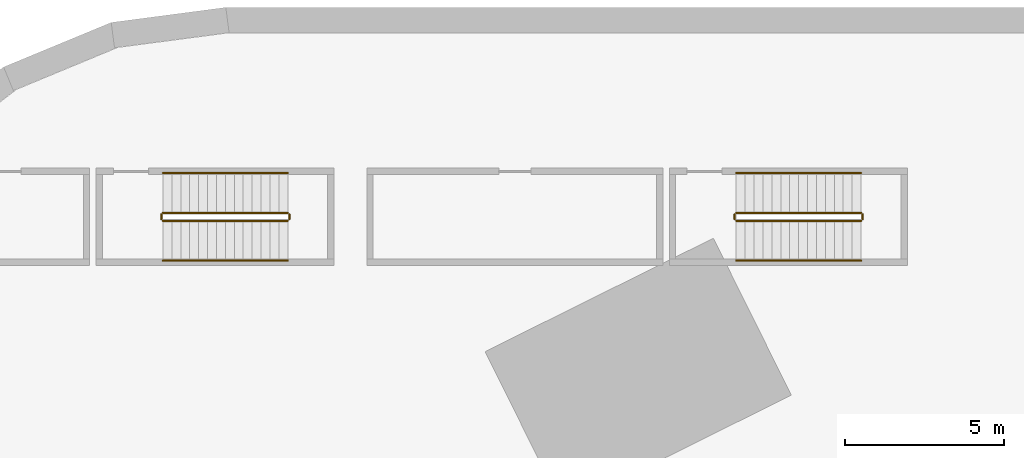
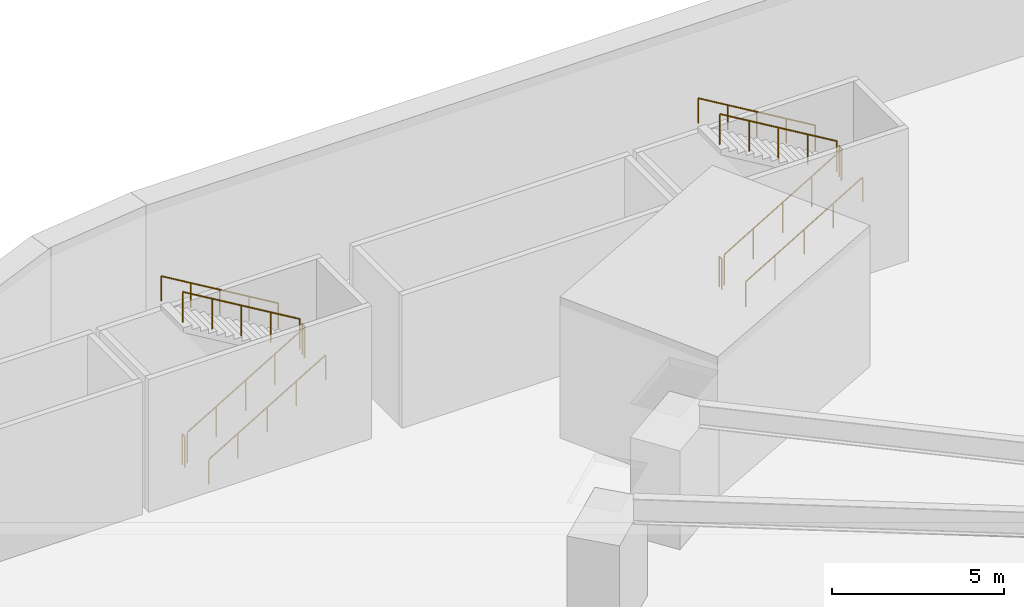
# One storey, part 9 of 10: 12 railings.
"""IFC4 building model written with IfcOpenShell, lengths in metres."""

from ifc_helpers import new_model, si_unit, direction, frame, origin, origin_2d, place, context, subcontext, project, spatial, circle, extrude, source, transform, mapped, material, type_object, element, save


model = new_model("IFC4")

# Units and contexts
model_context = context("Model", 3, precision=1e-05, world=origin(), true_north=direction((0.0, 1.0)))
body_context = subcontext(model_context, "Body", "Model", "MODEL_VIEW")
ifc_project = project(units=[si_unit("LENGTHUNIT", "METRE"), si_unit("AREAUNIT", "SQUARE_METRE"), si_unit("VOLUMEUNIT", "CUBIC_METRE"), si_unit("PLANEANGLEUNIT", "RADIAN"), si_unit("MASSUNIT", "GRAM", prefix="KILO")], contexts=[model_context])

# Site, building, storey
site_placement = place(None, origin())
site = spatial("IfcSite", under=ifc_project, at=site_placement, CompositionType="ELEMENT")
building_placement = place(site_placement, origin())
building = spatial("IfcBuilding", under=site, at=building_placement, Name="Embergate Tower", CompositionType="ELEMENT")
storey_placement = place(building_placement, frame((0.0, 0.0, -5.0)))
storey = spatial("IfcBuildingStorey", under=building, at=storey_placement, Name="B1", CompositionType="ELEMENT", Elevation=-5.0)

# Railings
ifc_material = material(Name="Steel", Category="steel")
railing_type_1 = type_object("IfcRailingType", Name="Exit stair guard 1100", PredefinedType="GUARDRAIL", material=ifc_material)
shared_shape_1 = source(origin(), body_context, "Body", "SweptSolid", [
    extrude(circle(Radius=0.02392578125, at=origin_2d()), frame((0.0, 0.0, 1.076171875), z_axis=(0.0, 1.0, 0.0), x_axis=(-1.0, 0.0, 0.0)), (0.0, 0.0, 1.0), 0.14990234375),
    extrude(circle(Radius=0.02099609375, at=origin_2d()), origin(), (0.0, 0.0, 1.0), 1.052001953125),
    extrude(circle(Radius=0.02099609375, at=origin_2d()), frame((0.0, 0.14990234375, 0.0)), (0.0, 0.0, 1.0), 1.052001953125),
])
for number, where, name in (
    (1, (-16.030029296875, 33.35009765625, 2.5), "B1 XS1 stair guard 2"),
    (2, (-20.050048828125, 33.35009765625, 0.0), "B1 XS1 stair guard 4"),
    (3, (-34.030029296875, 33.35009765625, 2.5), "B1 XS2 stair guard 2"),
    (4, (-38.050048828125, 33.35009765625, 0.0), "B1 XS2 stair guard 4"),
):
    element("IfcRailing", number, at=place(storey_placement, frame(where)), inside=storey, type_object=railing_type_1, Name=name, PredefinedType="GUARDRAIL", context=body_context, shape_type="MappedRepresentation", body=[
        mapped(shared_shape_1, transform((0.0, 0.0, 0.0))),
    ])
shared_shape_2 = source(origin(), body_context, "Body", "SweptSolid", [
    extrude(circle(Radius=0.02392578125, at=origin_2d()), frame((0.0, 0.0, 1.076171875), z_axis=(0.859296244711, 0.0, 0.511478214419), x_axis=(0.0, 1.0, 0.0)), (0.0, 0.0, 1.0), 4.561767578125),
    extrude(circle(Radius=0.02099609375, at=origin_2d()), origin(), (0.0, 0.0, 1.0), 1.052001953125),
    extrude(circle(Radius=0.02099609375, at=origin_2d()), frame((0.97998046875, 0.0, 0.583251953125)), (0.0, 0.0, 1.0), 1.052001953125),
    extrude(circle(Radius=0.02099609375, at=origin_2d()), frame((1.9599609375, 0.0, 1.16650390625)), (0.0, 0.0, 1.0), 1.052001953125),
    extrude(circle(Radius=0.02099609375, at=origin_2d()), frame((2.93994140625, 0.0, 1.75)), (0.0, 0.0, 1.0), 1.052001953125),
    extrude(circle(Radius=0.02099609375, at=origin_2d()), frame((3.919921875, 0.0, 2.333251953125)), (0.0, 0.0, 1.0), 1.052001953125),
])
for number, where, name in (
    (5, (-20.0, 33.300048828125, 0.166748046875), "B1 XS1 stair guard 1"),
    (6, (-38.0, 33.300048828125, 0.166748046875), "B1 XS2 stair guard 1"),
):
    element("IfcRailing", number, at=place(storey_placement, frame(where)), inside=storey, type_object=railing_type_1, Name=name, PredefinedType="GUARDRAIL", context=body_context, shape_type="MappedRepresentation", body=[
        mapped(shared_shape_2, transform((0.0, 0.0, 0.0))),
    ])
shared_shape_3 = source(origin(), body_context, "Body", "SweptSolid", [
    extrude(circle(Radius=0.02392578125, at=origin_2d()), frame((0.0, 0.0, 1.076171875), z_axis=(-0.859296244711, 0.0, 0.511478214419), x_axis=(0.0, -1.0, 0.0)), (0.0, 0.0, 1.0), 4.561767578125),
    extrude(circle(Radius=0.02099609375, at=origin_2d()), origin(), (0.0, 0.0, 1.0), 1.052001953125),
    extrude(circle(Radius=0.02099609375, at=origin_2d()), frame((-0.97998046875, 0.0, 0.583251953125)), (0.0, 0.0, 1.0), 1.052001953125),
    extrude(circle(Radius=0.02099609375, at=origin_2d()), frame((-1.9599609375, 0.0, 1.16650390625)), (0.0, 0.0, 1.0), 1.052001953125),
    extrude(circle(Radius=0.02099609375, at=origin_2d()), frame((-2.93994140625, 0.0, 1.75)), (0.0, 0.0, 1.0), 1.052001953125),
    extrude(circle(Radius=0.02099609375, at=origin_2d()), frame((-3.919921875, 0.0, 2.333251953125)), (0.0, 0.0, 1.0), 1.052001953125),
])
for number, where, name in (
    (7, (-16.080078125, 33.550048828125, 2.666748046875), "B1 XS1 stair guard 3"),
    (8, (-34.080078125, 33.550048828125, 2.666748046875), "B1 XS2 stair guard 3"),
):
    element("IfcRailing", number, at=place(storey_placement, frame(where)), inside=storey, type_object=railing_type_1, Name=name, PredefinedType="GUARDRAIL", context=body_context, shape_type="MappedRepresentation", body=[
        mapped(shared_shape_3, transform((0.0, 0.0, 0.0))),
    ])
railing_type_2 = type_object("IfcRailingType", Name="Exit stair handrail 900", PredefinedType="HANDRAIL", material=ifc_material)
shared_shape_4 = source(origin(), body_context, "Body", "SweptSolid", [
    extrude(circle(Radius=0.02392578125, at=origin_2d()), frame((0.0, 0.0, 0.8759765625), z_axis=(0.859296244711, 0.0, 0.511478214419), x_axis=(0.0, 1.0, 0.0)), (0.0, 0.0, 1.0), 4.561767578125),
    extrude(circle(Radius=0.02099609375, at=origin_2d()), origin(), (0.0, 0.0, 1.0), 0.851806640625),
    extrude(circle(Radius=0.02099609375, at=origin_2d()), frame((0.97998046875, 0.0, 0.583251953125)), (0.0, 0.0, 1.0), 0.851806640625),
    extrude(circle(Radius=0.02099609375, at=origin_2d()), frame((1.9599609375, 0.0, 1.16650390625)), (0.0, 0.0, 1.0), 0.851806640625),
    extrude(circle(Radius=0.02099609375, at=origin_2d()), frame((2.93994140625, 0.0, 1.75)), (0.0, 0.0, 1.0), 0.851806640625),
    extrude(circle(Radius=0.02099609375, at=origin_2d()), frame((3.919921875, 0.0, 2.333251953125)), (0.0, 0.0, 1.0), 0.851806640625),
])
for number, where, name in (
    (9, (-20.0, 32.050048828125, 0.166748046875), "B1 XS1 stair handrail 1"),
    (10, (-38.0, 32.050048828125, 0.166748046875), "B1 XS2 stair handrail 1"),
):
    element("IfcRailing", number, at=place(storey_placement, frame(where)), inside=storey, type_object=railing_type_2, Name=name, PredefinedType="HANDRAIL", context=body_context, shape_type="MappedRepresentation", body=[
        mapped(shared_shape_4, transform((0.0, 0.0, 0.0))),
    ])
shared_shape_5 = source(origin(), body_context, "Body", "SweptSolid", [
    extrude(circle(Radius=0.02392578125, at=origin_2d()), frame((0.0, 0.0, 0.8759765625), z_axis=(-0.859296244711, 0.0, 0.511478214419), x_axis=(0.0, -1.0, 0.0)), (0.0, 0.0, 1.0), 4.561767578125),
    extrude(circle(Radius=0.02099609375, at=origin_2d()), origin(), (0.0, 0.0, 1.0), 0.851806640625),
    extrude(circle(Radius=0.02099609375, at=origin_2d()), frame((-0.97998046875, 0.0, 0.583251953125)), (0.0, 0.0, 1.0), 0.851806640625),
    extrude(circle(Radius=0.02099609375, at=origin_2d()), frame((-1.9599609375, 0.0, 1.16650390625)), (0.0, 0.0, 1.0), 0.851806640625),
    extrude(circle(Radius=0.02099609375, at=origin_2d()), frame((-2.93994140625, 0.0, 1.75)), (0.0, 0.0, 1.0), 0.851806640625),
    extrude(circle(Radius=0.02099609375, at=origin_2d()), frame((-3.919921875, 0.0, 2.333251953125)), (0.0, 0.0, 1.0), 0.851806640625),
])
for number, where, name in (
    (11, (-16.080078125, 34.800048828125, 2.666748046875), "B1 XS1 stair handrail 2"),
    (12, (-34.080078125, 34.800048828125, 2.666748046875), "B1 XS2 stair handrail 2"),
):
    element("IfcRailing", number, at=place(storey_placement, frame(where)), inside=storey, type_object=railing_type_2, Name=name, PredefinedType="HANDRAIL", context=body_context, shape_type="MappedRepresentation", body=[
        mapped(shared_shape_5, transform((0.0, 0.0, 0.0))),
    ])

save(model, "model.ifc")
